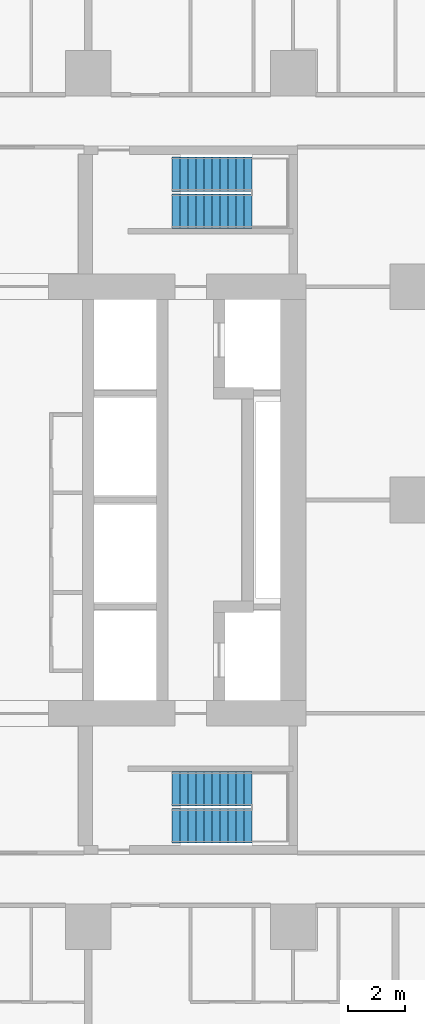
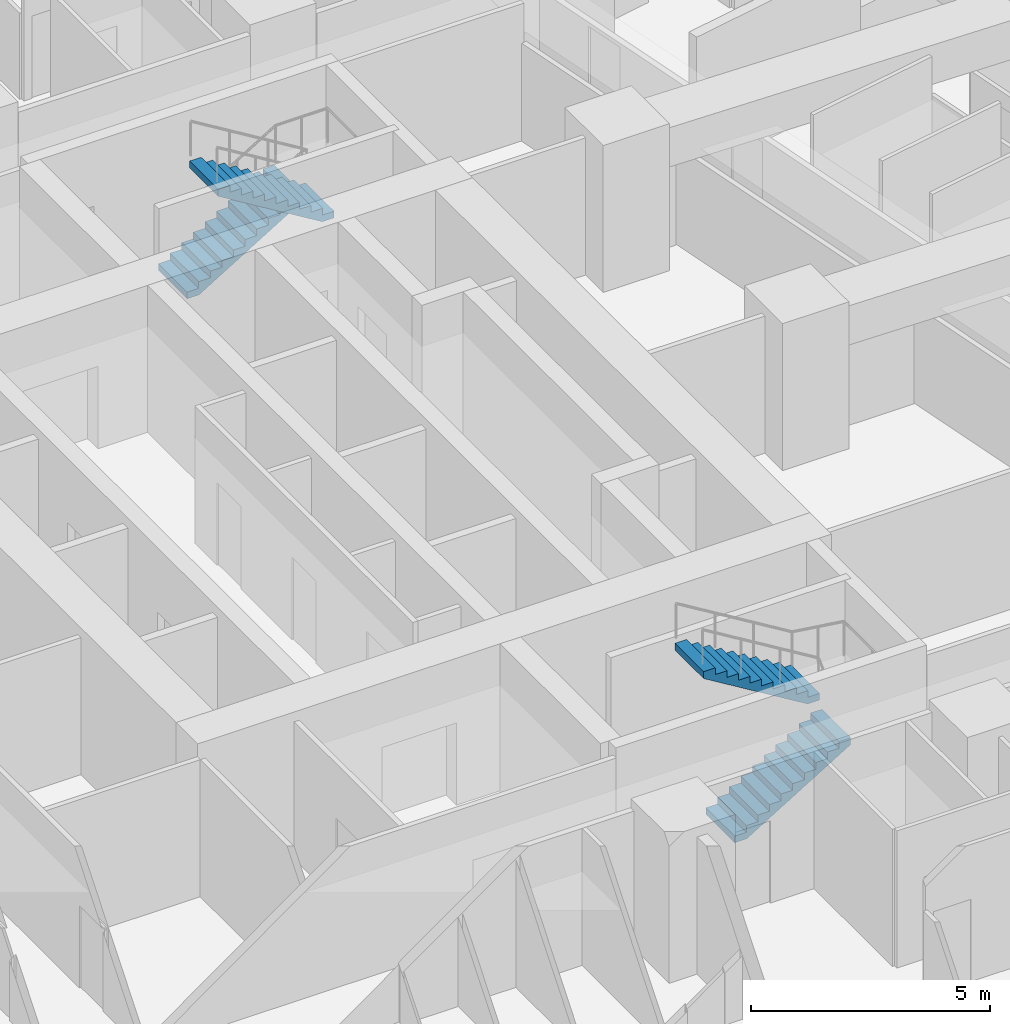
# One storey, part 12 of 15: 4 stair flights, 2 elements without a shape of their own.
"""IFC4 building model written with IfcOpenShell, lengths in metres."""

from ifc_helpers import new_model, si_unit, direction, frame, origin, place, context, subcontext, project, spatial, triangles, material, type_object, element, aggregate, save


model = new_model("IFC4")

# Units and contexts
model_context = context("Model", 3, precision=1e-05, world=origin(), true_north=direction((0.0, 1.0)))
body_context = subcontext(model_context, "Body", "Model", "MODEL_VIEW")
ifc_project = project(units=[si_unit("LENGTHUNIT", "METRE"), si_unit("AREAUNIT", "SQUARE_METRE"), si_unit("VOLUMEUNIT", "CUBIC_METRE"), si_unit("PLANEANGLEUNIT", "RADIAN"), si_unit("MASSUNIT", "GRAM", prefix="KILO")], contexts=[model_context])

# Site, building, storey
site_placement = place(None, origin())
site = spatial("IfcSite", under=ifc_project, at=site_placement, CompositionType="ELEMENT")
building_placement = place(site_placement, origin())
building = spatial("IfcBuilding", under=site, at=building_placement, Name="Sheger Commons Tower", CompositionType="ELEMENT")
storey_placement = place(building_placement, frame((0.0, 0.0, 104.14990234375)))
storey = spatial("IfcBuildingStorey", under=building, at=storey_placement, Name="L26", CompositionType="ELEMENT", Elevation=104.14990234375)

# Stair, stair flights
ifc_material_1 = material(Name="Concrete C35/45", Category="concrete")
stair_type = type_object("IfcStairType", Name="HALF-TURN STAIR 1200 RISE 3750", PredefinedType="HALF_TURN_STAIR", material=ifc_material_1)
stair_1_placement = place(storey_placement, origin())
stair_1 = element("IfcStair", 1, at=stair_1_placement, inside=storey, type_object=stair_type, Name="Stair S1 L26", PredefinedType="HALF_TURN_STAIR")
ifc_material_2 = material(Name="Concrete C35/45", Category="concrete")
stair_flight_type = type_object("IfcStairFlightType", Name="STAIR FLIGHT 1200 11 RISERS OF 170", PredefinedType="STRAIGHT", material=ifc_material_2)
stair_flight_1_placement = place(storey_placement, frame((24.550048828125, 11.050048828125, 0.0), z_axis=(0.0, 0.0, 1.0), x_axis=(1.0, 0.0, 0.0)))
stair_flight_1 = element("IfcStairFlight", 2, at=stair_flight_1_placement, type_object=stair_flight_type, Name="S1 flight 1", NumberOfRisers=11, NumberOfTreads=10, PredefinedType="STRAIGHT", RiserHeight=0.170454545, TreadLength=0.28, context=body_context, shape_type="Tessellation", body=[
    triangles([(0.0, 0.5999755859375, 0.0), (0.0, 0.5999755859375, 0.17041015625), (0.280029296875, 0.5999755859375, 0.17041015625), (0.280029296875, 0.5999755859375, 0.3408203125), (0.56005859375, 0.5999755859375, 0.3408203125), (0.56005859375, 0.5999755859375, 0.511474609375), (0.840087890625, 0.5999755859375, 0.511474609375), (0.840087890625, 0.5999755859375, 0.681884765625), (1.1201171875, 0.5999755859375, 0.681884765625), (1.1201171875, 0.5999755859375, 0.852294921875), (1.39990234375, 0.5999755859375, 0.852294921875), (1.39990234375, 0.5999755859375, 1.022705078125), (1.679931640625, 0.5999755859375, 1.022705078125), (1.679931640625, 0.5999755859375, 1.193115234375), (1.9599609375, 0.5999755859375, 1.193115234375), (1.9599609375, 0.5999755859375, 1.363525390625), (2.239990234375, 0.5999755859375, 1.363525390625), (2.239990234375, 0.5999755859375, 1.5341796875), (2.52001953125, 0.5999755859375, 1.5341796875), (2.52001953125, 0.5999755859375, 1.70458984375), (2.800048828125, 0.5999755859375, 1.70458984375), (2.800048828125, 0.5999755859375, 1.529052734375), (0.288330078125, 0.5999755859375, 0.0), (0.0, -0.5999755859375, 0.0), (0.0, -0.5999755859375, 0.17041015625), (0.280029296875, -0.5999755859375, 0.17041015625), (0.280029296875, -0.5999755859375, 0.3408203125), (0.56005859375, -0.5999755859375, 0.3408203125), (0.56005859375, -0.5999755859375, 0.511474609375), (0.840087890625, -0.5999755859375, 0.511474609375), (0.840087890625, -0.5999755859375, 0.681884765625), (1.1201171875, -0.5999755859375, 0.681884765625), (1.1201171875, -0.5999755859375, 0.852294921875), (1.39990234375, -0.5999755859375, 0.852294921875), (1.39990234375, -0.5999755859375, 1.022705078125), (1.679931640625, -0.5999755859375, 1.022705078125), (1.679931640625, -0.5999755859375, 1.193115234375), (1.9599609375, -0.5999755859375, 1.193115234375), (1.9599609375, -0.5999755859375, 1.363525390625), (2.239990234375, -0.5999755859375, 1.363525390625), (2.239990234375, -0.5999755859375, 1.5341796875), (2.52001953125, -0.5999755859375, 1.5341796875), (2.52001953125, -0.5999755859375, 1.70458984375), (2.800048828125, -0.5999755859375, 1.70458984375), (2.800048828125, -0.5999755859375, 1.529052734375), (0.288330078125, -0.5999755859375, 0.0), (0.0, 0.0, 0.085205078125), (0.1400146484375, 0.0, 0.17041015625), (0.280029296875, 0.0, 0.255615234375), (0.4200439453125, 0.0, 0.3408203125), (0.56005859375, 0.0, 0.4261474609375), (0.7000732421875, 0.0, 0.511474609375), (0.840087890625, 0.0, 0.5966796875), (0.9801025390625, 0.0, 0.681884765625), (1.1201171875, 0.0, 0.76708984375), (1.260009765625, 0.0, 0.852294921875), (1.39990234375, 0.0, 0.9375), (1.5399169921875, 0.0, 1.022705078125), (1.679931640625, 0.0, 1.10791015625), (1.8199462890625, 0.0, 1.193115234375), (1.9599609375, 0.0, 1.2783203125), (2.0999755859375, 0.0, 1.363525390625), (2.239990234375, 0.0, 1.4488525390625), (2.3800048828125, 0.0, 1.5341796875), (2.52001953125, 0.0, 1.619384765625), (2.6600341796875, 0.0, 1.70458984375), (2.800048828125, 0.0, 1.6168212890625), (1.544189453125, 0.0, 0.7645263671875), (0.1441650390625, 0.0, 0.0)], [[1, 22, 23], [24, 46, 45], [22, 20, 21], [45, 44, 43], [22, 19, 20], [45, 43, 42], [22, 18, 19], [45, 42, 41], [22, 17, 18], [45, 41, 40], [17, 15, 16], [40, 39, 38], [22, 15, 17], [45, 40, 38], [15, 13, 14], [38, 37, 36], [22, 13, 15], [45, 38, 36], [13, 11, 12], [36, 35, 34], [22, 11, 13], [45, 36, 34], [11, 9, 10], [34, 33, 32], [22, 9, 11], [45, 34, 32], [9, 7, 8], [32, 31, 30], [22, 7, 9], [45, 32, 30], [7, 5, 6], [30, 29, 28], [22, 5, 7], [45, 30, 28], [5, 3, 4], [28, 27, 26], [22, 3, 5], [45, 28, 26], [1, 3, 22], [24, 45, 26], [3, 1, 2], [26, 25, 24], [1, 47, 2], [2, 47, 25], [25, 47, 24], [24, 47, 1], [2, 48, 3], [3, 48, 26], [26, 48, 25], [25, 48, 2], [3, 49, 4], [4, 49, 27], [27, 49, 26], [26, 49, 3], [4, 50, 5], [5, 50, 28], [28, 50, 27], [27, 50, 4], [5, 51, 6], [6, 51, 29], [29, 51, 28], [28, 51, 5], [6, 52, 7], [7, 52, 30], [30, 52, 29], [29, 52, 6], [7, 53, 8], [8, 53, 31], [31, 53, 30], [30, 53, 7], [8, 54, 9], [9, 54, 32], [32, 54, 31], [31, 54, 8], [9, 55, 10], [10, 55, 33], [33, 55, 32], [32, 55, 9], [10, 56, 11], [11, 56, 34], [34, 56, 33], [33, 56, 10], [11, 57, 12], [12, 57, 35], [35, 57, 34], [34, 57, 11], [12, 58, 13], [13, 58, 36], [36, 58, 35], [35, 58, 12], [13, 59, 14], [14, 59, 37], [37, 59, 36], [36, 59, 13], [14, 60, 15], [15, 60, 38], [38, 60, 37], [37, 60, 14], [15, 61, 16], [16, 61, 39], [39, 61, 38], [38, 61, 15], [16, 62, 17], [17, 62, 40], [40, 62, 39], [39, 62, 16], [17, 63, 18], [18, 63, 41], [41, 63, 40], [40, 63, 17], [18, 64, 19], [19, 64, 42], [42, 64, 41], [41, 64, 18], [19, 65, 20], [20, 65, 43], [43, 65, 42], [42, 65, 19], [20, 66, 21], [21, 66, 44], [44, 66, 43], [43, 66, 20], [21, 67, 22], [22, 67, 45], [45, 67, 44], [44, 67, 21], [22, 68, 23], [23, 68, 46], [46, 68, 45], [45, 68, 22], [23, 69, 1], [1, 69, 24], [24, 69, 46], [46, 69, 23]], closed=True),
])
stair_flight_2_placement = place(storey_placement, frame((27.35009765625, 12.35009765625, 1.875), z_axis=(0.0, 0.0, 1.0), x_axis=(-1.0, 0.0, 0.0)))
stair_flight_2 = element("IfcStairFlight", 3, at=stair_flight_2_placement, type_object=stair_flight_type, Name="S1 flight 2", NumberOfRisers=11, NumberOfTreads=10, PredefinedType="STRAIGHT", RiserHeight=0.170454545, TreadLength=0.28, context=body_context, shape_type="Tessellation", body=[
    triangles([(0.0, 0.5999755859375, 0.0), (0.0, 0.5999755859375, 0.17041015625), (0.280029296875, 0.5999755859375, 0.17041015625), (0.280029296875, 0.5999755859375, 0.3408203125), (0.56005859375, 0.5999755859375, 0.3408203125), (0.56005859375, 0.5999755859375, 0.511474609375), (0.840087890625, 0.5999755859375, 0.511474609375), (0.840087890625, 0.5999755859375, 0.681884765625), (1.1201171875, 0.5999755859375, 0.681884765625), (1.1201171875, 0.5999755859375, 0.852294921875), (1.39990234375, 0.5999755859375, 0.852294921875), (1.39990234375, 0.5999755859375, 1.022705078125), (1.679931640625, 0.5999755859375, 1.022705078125), (1.679931640625, 0.5999755859375, 1.193115234375), (1.9599609375, 0.5999755859375, 1.193115234375), (1.9599609375, 0.5999755859375, 1.363525390625), (2.239990234375, 0.5999755859375, 1.363525390625), (2.239990234375, 0.5999755859375, 1.5341796875), (2.52001953125, 0.5999755859375, 1.5341796875), (2.52001953125, 0.5999755859375, 1.70458984375), (2.800048828125, 0.5999755859375, 1.70458984375), (2.800048828125, 0.5999755859375, 1.529052734375), (0.288330078125, 0.5999755859375, 0.0), (0.0, -0.5999755859375, 0.0), (0.0, -0.5999755859375, 0.17041015625), (0.280029296875, -0.5999755859375, 0.17041015625), (0.280029296875, -0.5999755859375, 0.3408203125), (0.56005859375, -0.5999755859375, 0.3408203125), (0.56005859375, -0.5999755859375, 0.511474609375), (0.840087890625, -0.5999755859375, 0.511474609375), (0.840087890625, -0.5999755859375, 0.681884765625), (1.1201171875, -0.5999755859375, 0.681884765625), (1.1201171875, -0.5999755859375, 0.852294921875), (1.39990234375, -0.5999755859375, 0.852294921875), (1.39990234375, -0.5999755859375, 1.022705078125), (1.679931640625, -0.5999755859375, 1.022705078125), (1.679931640625, -0.5999755859375, 1.193115234375), (1.9599609375, -0.5999755859375, 1.193115234375), (1.9599609375, -0.5999755859375, 1.363525390625), (2.239990234375, -0.5999755859375, 1.363525390625), (2.239990234375, -0.5999755859375, 1.5341796875), (2.52001953125, -0.5999755859375, 1.5341796875), (2.52001953125, -0.5999755859375, 1.70458984375), (2.800048828125, -0.5999755859375, 1.70458984375), (2.800048828125, -0.5999755859375, 1.529052734375), (0.288330078125, -0.5999755859375, 0.0), (0.0, 0.0, 0.085205078125), (0.1400146484375, 0.0, 0.17041015625), (0.280029296875, 0.0, 0.255615234375), (0.4200439453125, 0.0, 0.3408203125), (0.56005859375, 0.0, 0.4261474609375), (0.7000732421875, 0.0, 0.511474609375), (0.840087890625, 0.0, 0.5966796875), (0.9801025390625, 0.0, 0.681884765625), (1.1201171875, 0.0, 0.76708984375), (1.260009765625, 0.0, 0.852294921875), (1.39990234375, 0.0, 0.9375), (1.5399169921875, 0.0, 1.022705078125), (1.679931640625, 0.0, 1.10791015625), (1.8199462890625, 0.0, 1.193115234375), (1.9599609375, 0.0, 1.2783203125), (2.0999755859375, 0.0, 1.363525390625), (2.239990234375, 0.0, 1.4488525390625), (2.3800048828125, 0.0, 1.5341796875), (2.52001953125, 0.0, 1.619384765625), (2.6600341796875, 0.0, 1.70458984375), (2.800048828125, 0.0, 1.6168212890625), (1.544189453125, 0.0, 0.7645263671875), (0.1441650390625, 0.0, 0.0)], [[1, 22, 23], [24, 46, 45], [22, 20, 21], [45, 44, 43], [22, 19, 20], [45, 43, 42], [22, 18, 19], [45, 42, 41], [22, 17, 18], [45, 41, 40], [17, 15, 16], [40, 39, 38], [22, 15, 17], [45, 40, 38], [15, 13, 14], [38, 37, 36], [22, 13, 15], [45, 38, 36], [13, 11, 12], [36, 35, 34], [22, 11, 13], [45, 36, 34], [11, 9, 10], [34, 33, 32], [22, 9, 11], [45, 34, 32], [9, 7, 8], [32, 31, 30], [22, 7, 9], [45, 32, 30], [7, 5, 6], [30, 29, 28], [22, 5, 7], [45, 30, 28], [5, 3, 4], [28, 27, 26], [22, 3, 5], [45, 28, 26], [1, 3, 22], [24, 45, 26], [3, 1, 2], [26, 25, 24], [1, 47, 2], [2, 47, 25], [25, 47, 24], [24, 47, 1], [2, 48, 3], [3, 48, 26], [26, 48, 25], [25, 48, 2], [3, 49, 4], [4, 49, 27], [27, 49, 26], [26, 49, 3], [4, 50, 5], [5, 50, 28], [28, 50, 27], [27, 50, 4], [5, 51, 6], [6, 51, 29], [29, 51, 28], [28, 51, 5], [6, 52, 7], [7, 52, 30], [30, 52, 29], [29, 52, 6], [7, 53, 8], [8, 53, 31], [31, 53, 30], [30, 53, 7], [8, 54, 9], [9, 54, 32], [32, 54, 31], [31, 54, 8], [9, 55, 10], [10, 55, 33], [33, 55, 32], [32, 55, 9], [10, 56, 11], [11, 56, 34], [34, 56, 33], [33, 56, 10], [11, 57, 12], [12, 57, 35], [35, 57, 34], [34, 57, 11], [12, 58, 13], [13, 58, 36], [36, 58, 35], [35, 58, 12], [13, 59, 14], [14, 59, 37], [37, 59, 36], [36, 59, 13], [14, 60, 15], [15, 60, 38], [38, 60, 37], [37, 60, 14], [15, 61, 16], [16, 61, 39], [39, 61, 38], [38, 61, 15], [16, 62, 17], [17, 62, 40], [40, 62, 39], [39, 62, 16], [17, 63, 18], [18, 63, 41], [41, 63, 40], [40, 63, 17], [18, 64, 19], [19, 64, 42], [42, 64, 41], [41, 64, 18], [19, 65, 20], [20, 65, 43], [43, 65, 42], [42, 65, 19], [20, 66, 21], [21, 66, 44], [44, 66, 43], [43, 66, 20], [21, 67, 22], [22, 67, 45], [45, 67, 44], [44, 67, 21], [22, 68, 23], [23, 68, 46], [46, 68, 45], [45, 68, 22], [23, 69, 1], [1, 69, 24], [24, 69, 46], [46, 69, 23]], closed=True),
])
aggregate(stair_1, [stair_flight_1, stair_flight_2])

stair_2_placement = place(storey_placement, origin())
stair_2 = element("IfcStair", 4, at=stair_2_placement, inside=storey, type_object=stair_type, Name="Stair S2 L26", PredefinedType="HALF_TURN_STAIR")
stair_flight_3_placement = place(storey_placement, frame((24.550048828125, 33.949951171875, 0.0), z_axis=(0.0, 0.0, 1.0), x_axis=(1.0, 0.0, 0.0)))
stair_flight_3 = element("IfcStairFlight", 5, at=stair_flight_3_placement, type_object=stair_flight_type, Name="S2 flight 1", NumberOfRisers=11, NumberOfTreads=10, PredefinedType="STRAIGHT", RiserHeight=0.170454545, TreadLength=0.28, context=body_context, shape_type="Tessellation", body=[
    triangles([(0.0, 0.5999755859375, 0.0), (0.0, 0.5999755859375, 0.17041015625), (0.280029296875, 0.5999755859375, 0.17041015625), (0.280029296875, 0.5999755859375, 0.3408203125), (0.56005859375, 0.5999755859375, 0.3408203125), (0.56005859375, 0.5999755859375, 0.511474609375), (0.840087890625, 0.5999755859375, 0.511474609375), (0.840087890625, 0.5999755859375, 0.681884765625), (1.1201171875, 0.5999755859375, 0.681884765625), (1.1201171875, 0.5999755859375, 0.852294921875), (1.39990234375, 0.5999755859375, 0.852294921875), (1.39990234375, 0.5999755859375, 1.022705078125), (1.679931640625, 0.5999755859375, 1.022705078125), (1.679931640625, 0.5999755859375, 1.193115234375), (1.9599609375, 0.5999755859375, 1.193115234375), (1.9599609375, 0.5999755859375, 1.363525390625), (2.239990234375, 0.5999755859375, 1.363525390625), (2.239990234375, 0.5999755859375, 1.5341796875), (2.52001953125, 0.5999755859375, 1.5341796875), (2.52001953125, 0.5999755859375, 1.70458984375), (2.800048828125, 0.5999755859375, 1.70458984375), (2.800048828125, 0.5999755859375, 1.529052734375), (0.288330078125, 0.5999755859375, 0.0), (0.0, -0.5999755859375, 0.0), (0.0, -0.5999755859375, 0.17041015625), (0.280029296875, -0.5999755859375, 0.17041015625), (0.280029296875, -0.5999755859375, 0.3408203125), (0.56005859375, -0.5999755859375, 0.3408203125), (0.56005859375, -0.5999755859375, 0.511474609375), (0.840087890625, -0.5999755859375, 0.511474609375), (0.840087890625, -0.5999755859375, 0.681884765625), (1.1201171875, -0.5999755859375, 0.681884765625), (1.1201171875, -0.5999755859375, 0.852294921875), (1.39990234375, -0.5999755859375, 0.852294921875), (1.39990234375, -0.5999755859375, 1.022705078125), (1.679931640625, -0.5999755859375, 1.022705078125), (1.679931640625, -0.5999755859375, 1.193115234375), (1.9599609375, -0.5999755859375, 1.193115234375), (1.9599609375, -0.5999755859375, 1.363525390625), (2.239990234375, -0.5999755859375, 1.363525390625), (2.239990234375, -0.5999755859375, 1.5341796875), (2.52001953125, -0.5999755859375, 1.5341796875), (2.52001953125, -0.5999755859375, 1.70458984375), (2.800048828125, -0.5999755859375, 1.70458984375), (2.800048828125, -0.5999755859375, 1.529052734375), (0.288330078125, -0.5999755859375, 0.0), (0.0, 0.0, 0.085205078125), (0.1400146484375, 0.0, 0.17041015625), (0.280029296875, 0.0, 0.255615234375), (0.4200439453125, 0.0, 0.3408203125), (0.56005859375, 0.0, 0.4261474609375), (0.7000732421875, 0.0, 0.511474609375), (0.840087890625, 0.0, 0.5966796875), (0.9801025390625, 0.0, 0.681884765625), (1.1201171875, 0.0, 0.76708984375), (1.260009765625, 0.0, 0.852294921875), (1.39990234375, 0.0, 0.9375), (1.5399169921875, 0.0, 1.022705078125), (1.679931640625, 0.0, 1.10791015625), (1.8199462890625, 0.0, 1.193115234375), (1.9599609375, 0.0, 1.2783203125), (2.0999755859375, 0.0, 1.363525390625), (2.239990234375, 0.0, 1.4488525390625), (2.3800048828125, 0.0, 1.5341796875), (2.52001953125, 0.0, 1.619384765625), (2.6600341796875, 0.0, 1.70458984375), (2.800048828125, 0.0, 1.6168212890625), (1.544189453125, 0.0, 0.7645263671875), (0.1441650390625, 0.0, 0.0)], [[1, 22, 23], [24, 46, 45], [22, 20, 21], [45, 44, 43], [22, 19, 20], [45, 43, 42], [22, 18, 19], [45, 42, 41], [22, 17, 18], [45, 41, 40], [17, 15, 16], [40, 39, 38], [22, 15, 17], [45, 40, 38], [15, 13, 14], [38, 37, 36], [22, 13, 15], [45, 38, 36], [13, 11, 12], [36, 35, 34], [22, 11, 13], [45, 36, 34], [11, 9, 10], [34, 33, 32], [22, 9, 11], [45, 34, 32], [9, 7, 8], [32, 31, 30], [22, 7, 9], [45, 32, 30], [7, 5, 6], [30, 29, 28], [22, 5, 7], [45, 30, 28], [5, 3, 4], [28, 27, 26], [22, 3, 5], [45, 28, 26], [1, 3, 22], [24, 45, 26], [3, 1, 2], [26, 25, 24], [1, 47, 2], [2, 47, 25], [25, 47, 24], [24, 47, 1], [2, 48, 3], [3, 48, 26], [26, 48, 25], [25, 48, 2], [3, 49, 4], [4, 49, 27], [27, 49, 26], [26, 49, 3], [4, 50, 5], [5, 50, 28], [28, 50, 27], [27, 50, 4], [5, 51, 6], [6, 51, 29], [29, 51, 28], [28, 51, 5], [6, 52, 7], [7, 52, 30], [30, 52, 29], [29, 52, 6], [7, 53, 8], [8, 53, 31], [31, 53, 30], [30, 53, 7], [8, 54, 9], [9, 54, 32], [32, 54, 31], [31, 54, 8], [9, 55, 10], [10, 55, 33], [33, 55, 32], [32, 55, 9], [10, 56, 11], [11, 56, 34], [34, 56, 33], [33, 56, 10], [11, 57, 12], [12, 57, 35], [35, 57, 34], [34, 57, 11], [12, 58, 13], [13, 58, 36], [36, 58, 35], [35, 58, 12], [13, 59, 14], [14, 59, 37], [37, 59, 36], [36, 59, 13], [14, 60, 15], [15, 60, 38], [38, 60, 37], [37, 60, 14], [15, 61, 16], [16, 61, 39], [39, 61, 38], [38, 61, 15], [16, 62, 17], [17, 62, 40], [40, 62, 39], [39, 62, 16], [17, 63, 18], [18, 63, 41], [41, 63, 40], [40, 63, 17], [18, 64, 19], [19, 64, 42], [42, 64, 41], [41, 64, 18], [19, 65, 20], [20, 65, 43], [43, 65, 42], [42, 65, 19], [20, 66, 21], [21, 66, 44], [44, 66, 43], [43, 66, 20], [21, 67, 22], [22, 67, 45], [45, 67, 44], [44, 67, 21], [22, 68, 23], [23, 68, 46], [46, 68, 45], [45, 68, 22], [23, 69, 1], [1, 69, 24], [24, 69, 46], [46, 69, 23]], closed=True),
])
stair_flight_4_placement = place(storey_placement, frame((27.35009765625, 32.64990234375, 1.875), z_axis=(0.0, 0.0, 1.0), x_axis=(-1.0, 0.0, 0.0)))
stair_flight_4 = element("IfcStairFlight", 6, at=stair_flight_4_placement, type_object=stair_flight_type, Name="S2 flight 2", NumberOfRisers=11, NumberOfTreads=10, PredefinedType="STRAIGHT", RiserHeight=0.170454545, TreadLength=0.28, context=body_context, shape_type="Tessellation", body=[
    triangles([(0.0, 0.5999755859375, 0.0), (0.0, 0.5999755859375, 0.17041015625), (0.280029296875, 0.5999755859375, 0.17041015625), (0.280029296875, 0.5999755859375, 0.3408203125), (0.56005859375, 0.5999755859375, 0.3408203125), (0.56005859375, 0.5999755859375, 0.511474609375), (0.840087890625, 0.5999755859375, 0.511474609375), (0.840087890625, 0.5999755859375, 0.681884765625), (1.1201171875, 0.5999755859375, 0.681884765625), (1.1201171875, 0.5999755859375, 0.852294921875), (1.39990234375, 0.5999755859375, 0.852294921875), (1.39990234375, 0.5999755859375, 1.022705078125), (1.679931640625, 0.5999755859375, 1.022705078125), (1.679931640625, 0.5999755859375, 1.193115234375), (1.9599609375, 0.5999755859375, 1.193115234375), (1.9599609375, 0.5999755859375, 1.363525390625), (2.239990234375, 0.5999755859375, 1.363525390625), (2.239990234375, 0.5999755859375, 1.5341796875), (2.52001953125, 0.5999755859375, 1.5341796875), (2.52001953125, 0.5999755859375, 1.70458984375), (2.800048828125, 0.5999755859375, 1.70458984375), (2.800048828125, 0.5999755859375, 1.529052734375), (0.288330078125, 0.5999755859375, 0.0), (0.0, -0.5999755859375, 0.0), (0.0, -0.5999755859375, 0.17041015625), (0.280029296875, -0.5999755859375, 0.17041015625), (0.280029296875, -0.5999755859375, 0.3408203125), (0.56005859375, -0.5999755859375, 0.3408203125), (0.56005859375, -0.5999755859375, 0.511474609375), (0.840087890625, -0.5999755859375, 0.511474609375), (0.840087890625, -0.5999755859375, 0.681884765625), (1.1201171875, -0.5999755859375, 0.681884765625), (1.1201171875, -0.5999755859375, 0.852294921875), (1.39990234375, -0.5999755859375, 0.852294921875), (1.39990234375, -0.5999755859375, 1.022705078125), (1.679931640625, -0.5999755859375, 1.022705078125), (1.679931640625, -0.5999755859375, 1.193115234375), (1.9599609375, -0.5999755859375, 1.193115234375), (1.9599609375, -0.5999755859375, 1.363525390625), (2.239990234375, -0.5999755859375, 1.363525390625), (2.239990234375, -0.5999755859375, 1.5341796875), (2.52001953125, -0.5999755859375, 1.5341796875), (2.52001953125, -0.5999755859375, 1.70458984375), (2.800048828125, -0.5999755859375, 1.70458984375), (2.800048828125, -0.5999755859375, 1.529052734375), (0.288330078125, -0.5999755859375, 0.0), (0.0, 0.0, 0.085205078125), (0.1400146484375, 0.0, 0.17041015625), (0.280029296875, 0.0, 0.255615234375), (0.4200439453125, 0.0, 0.3408203125), (0.56005859375, 0.0, 0.4261474609375), (0.7000732421875, 0.0, 0.511474609375), (0.840087890625, 0.0, 0.5966796875), (0.9801025390625, 0.0, 0.681884765625), (1.1201171875, 0.0, 0.76708984375), (1.260009765625, 0.0, 0.852294921875), (1.39990234375, 0.0, 0.9375), (1.5399169921875, 0.0, 1.022705078125), (1.679931640625, 0.0, 1.10791015625), (1.8199462890625, 0.0, 1.193115234375), (1.9599609375, 0.0, 1.2783203125), (2.0999755859375, 0.0, 1.363525390625), (2.239990234375, 0.0, 1.4488525390625), (2.3800048828125, 0.0, 1.5341796875), (2.52001953125, 0.0, 1.619384765625), (2.6600341796875, 0.0, 1.70458984375), (2.800048828125, 0.0, 1.6168212890625), (1.544189453125, 0.0, 0.7645263671875), (0.1441650390625, 0.0, 0.0)], [[1, 22, 23], [24, 46, 45], [22, 20, 21], [45, 44, 43], [22, 19, 20], [45, 43, 42], [22, 18, 19], [45, 42, 41], [22, 17, 18], [45, 41, 40], [17, 15, 16], [40, 39, 38], [22, 15, 17], [45, 40, 38], [15, 13, 14], [38, 37, 36], [22, 13, 15], [45, 38, 36], [13, 11, 12], [36, 35, 34], [22, 11, 13], [45, 36, 34], [11, 9, 10], [34, 33, 32], [22, 9, 11], [45, 34, 32], [9, 7, 8], [32, 31, 30], [22, 7, 9], [45, 32, 30], [7, 5, 6], [30, 29, 28], [22, 5, 7], [45, 30, 28], [5, 3, 4], [28, 27, 26], [22, 3, 5], [45, 28, 26], [1, 3, 22], [24, 45, 26], [3, 1, 2], [26, 25, 24], [1, 47, 2], [2, 47, 25], [25, 47, 24], [24, 47, 1], [2, 48, 3], [3, 48, 26], [26, 48, 25], [25, 48, 2], [3, 49, 4], [4, 49, 27], [27, 49, 26], [26, 49, 3], [4, 50, 5], [5, 50, 28], [28, 50, 27], [27, 50, 4], [5, 51, 6], [6, 51, 29], [29, 51, 28], [28, 51, 5], [6, 52, 7], [7, 52, 30], [30, 52, 29], [29, 52, 6], [7, 53, 8], [8, 53, 31], [31, 53, 30], [30, 53, 7], [8, 54, 9], [9, 54, 32], [32, 54, 31], [31, 54, 8], [9, 55, 10], [10, 55, 33], [33, 55, 32], [32, 55, 9], [10, 56, 11], [11, 56, 34], [34, 56, 33], [33, 56, 10], [11, 57, 12], [12, 57, 35], [35, 57, 34], [34, 57, 11], [12, 58, 13], [13, 58, 36], [36, 58, 35], [35, 58, 12], [13, 59, 14], [14, 59, 37], [37, 59, 36], [36, 59, 13], [14, 60, 15], [15, 60, 38], [38, 60, 37], [37, 60, 14], [15, 61, 16], [16, 61, 39], [39, 61, 38], [38, 61, 15], [16, 62, 17], [17, 62, 40], [40, 62, 39], [39, 62, 16], [17, 63, 18], [18, 63, 41], [41, 63, 40], [40, 63, 17], [18, 64, 19], [19, 64, 42], [42, 64, 41], [41, 64, 18], [19, 65, 20], [20, 65, 43], [43, 65, 42], [42, 65, 19], [20, 66, 21], [21, 66, 44], [44, 66, 43], [43, 66, 20], [21, 67, 22], [22, 67, 45], [45, 67, 44], [44, 67, 21], [22, 68, 23], [23, 68, 46], [46, 68, 45], [45, 68, 22], [23, 69, 1], [1, 69, 24], [24, 69, 46], [46, 69, 23]], closed=True),
])
aggregate(stair_2, [stair_flight_3, stair_flight_4])

save(model, "model.ifc")
